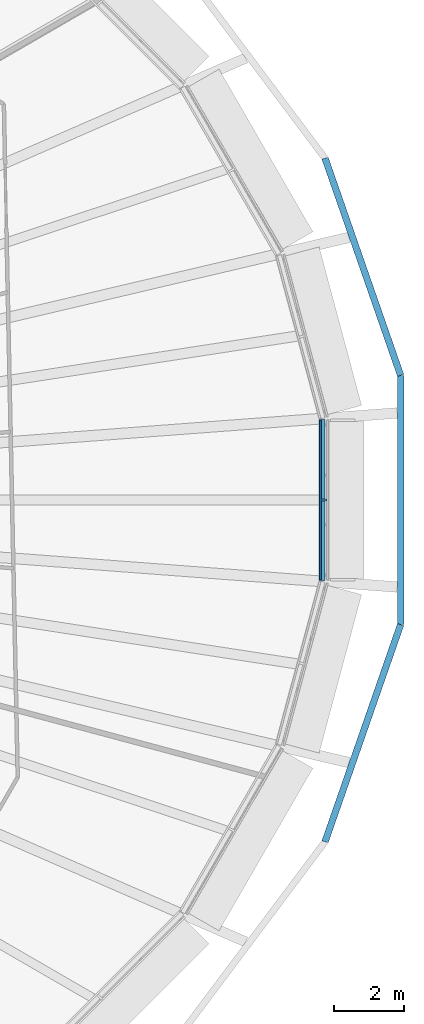
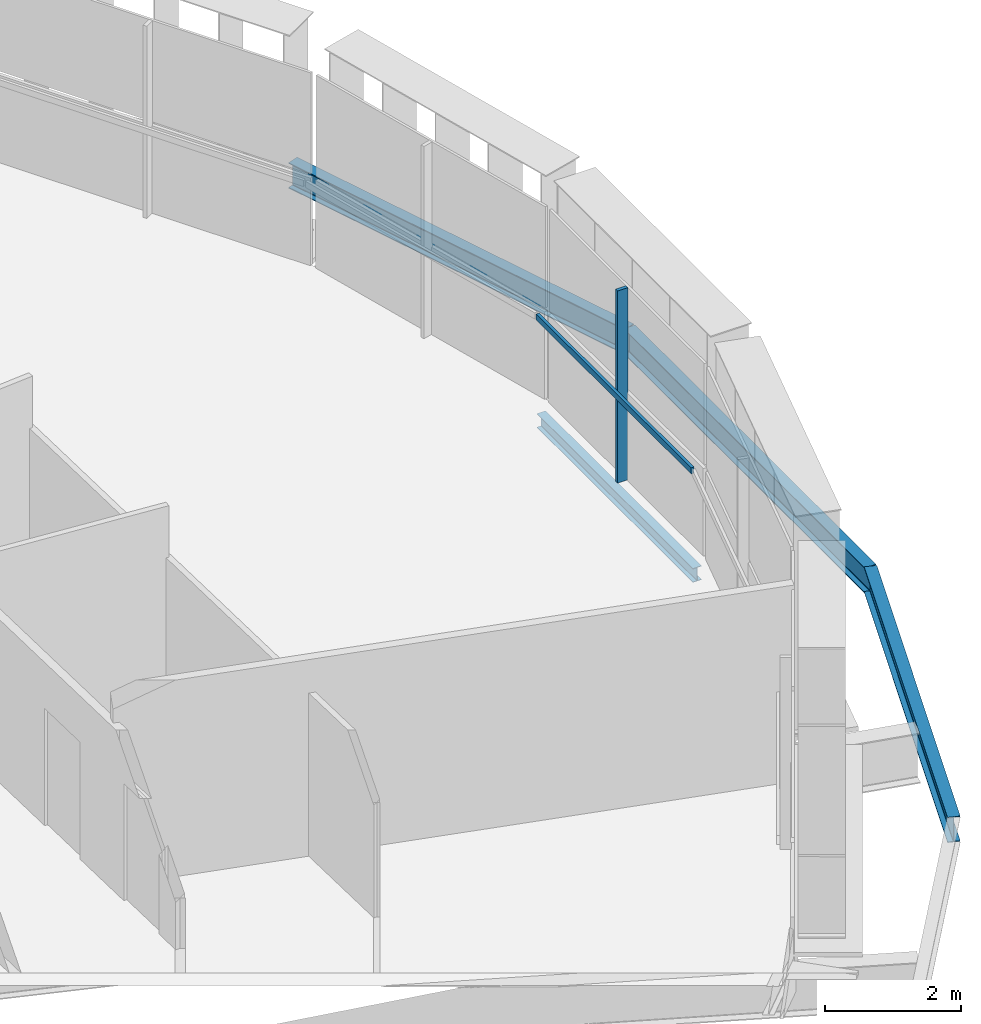
# One storey, part 9 of 23: 4 beams, 2 members, 1 element without a shape of its own.
"""IFC4 building model written with IfcOpenShell, lengths in metres."""

from ifc_helpers import new_model, si_unit, direction, frame, origin, origin_2d, place, context, subcontext, project, spatial, rectangle, i_section, extrude, material, layer, layer_set, material_profile, profile_set, type_object, element, aggregate, save


model = new_model("IFC4")

# Units and contexts
model_context = context("Model", 3, precision=1e-05, world=origin(), true_north=direction((0.0, 1.0)))
body_context = subcontext(model_context, "Body", "Model", "MODEL_VIEW")
ifc_project = project(units=[si_unit("LENGTHUNIT", "METRE"), si_unit("AREAUNIT", "SQUARE_METRE"), si_unit("VOLUMEUNIT", "CUBIC_METRE"), si_unit("PLANEANGLEUNIT", "RADIAN"), si_unit("MASSUNIT", "GRAM", prefix="KILO")], contexts=[model_context])

# Site, building, storey
site_placement = place(None, origin())
site = spatial("IfcSite", under=ifc_project, at=site_placement, CompositionType="ELEMENT")
building_placement = place(site_placement, origin())
building = spatial("IfcBuilding", under=site, at=building_placement, Name="Sahrelin Media Tower", CompositionType="ELEMENT")
storey_placement = place(building_placement, frame((0.0, 0.0, 173.60009765625)))
storey = spatial("IfcBuildingStorey", under=building, at=storey_placement, Name="L36", CompositionType="ELEMENT", Elevation=173.60009765625)

# Beam
ifc_material_1 = material(Name="Steel S355", Category="steel")
ifc_material_profile_1 = material_profile(ifc_material_1, i_section(OverallWidth=0.14599609375, OverallDepth=0.25146484375, WebThickness=0.006103515625, FlangeThickness=0.008544921875, FilletRadius=0.007568359375, at=origin_2d()), Name="UB 254x146x31")
ifc_profile_set_1 = profile_set([ifc_material_profile_1], Name="Steel S355")
beam_type_1 = type_object("IfcBeamType", Name="Edge beam EB1", PredefinedType="BEAM", material=ifc_profile_set_1)
beam_1_placement = place(storey_placement, frame((30.998779296875, 2.292724609375, -0.27587890625), z_axis=(0.0, -1.0, 0.0), x_axis=(1.0, 0.0, 0.0)))
element("IfcBeam", 1, at=beam_1_placement, inside=storey, type_object=beam_type_1, Name="Edge beam L36-01", PredefinedType="BEAM", context=body_context, shape_type="SweptSolid", body=[
    extrude(i_section(OverallWidth=0.14599609375, OverallDepth=0.25146484375, WebThickness=0.006103515625, FlangeThickness=0.008544921875, FilletRadius=0.007568359375, at=origin_2d()), origin(), (0.0, 0.0, 1.0), 4.58544921875),
])

# Curtain wall, member
ifc_material_2 = material(Name="Champagne anodised aluminium 6063-T6", Category="aluminium")
ifc_layer = layer(ifc_material_2, 0.14990234375)
ifc_layer_set = layer_set([ifc_layer], Name="Tower ribbon curtain wall")
curtain_wall_type = type_object("IfcCurtainWallType", Name="Tower ribbon curtain wall", PredefinedType="NOTDEFINED", material=ifc_layer_set)
curtain_wall_placement = place(storey_placement, frame((31.14892578125, 0.0, 0.0), z_axis=(0.0, 0.0, 1.0), x_axis=(1.0, 0.0, 0.0)))
curtain_wall = element("IfcCurtainWall", 2, at=curtain_wall_placement, inside=storey, type_object=curtain_wall_type, Name="L36:CW:L36-00", PredefinedType="NOTDEFINED")
ifc_material_profile_2 = material_profile(ifc_material_2, rectangle(XDim=0.06005859375, YDim=0.175048828125, at=origin_2d()), Name="Mullion 60x175")
ifc_profile_set_2 = profile_set([ifc_material_profile_2], Name="Champagne anodised aluminium 6063-T6")
member_type_1 = type_object("IfcMemberType", Name="Mullion 60x175 CW1B", PredefinedType="MULLION", material=ifc_profile_set_2)
member_1_placement = place(storey_placement, frame((31.04150390625, 0.0, 0.0), z_axis=(0.0, 0.0, 1.0), x_axis=(0.0, 1.0, 0.0)))
member_1 = element("IfcMember", 3, at=member_1_placement, type_object=member_type_1, Name="L36:CWM:L36-00", PredefinedType="MULLION", context=body_context, shape_type="SweptSolid", body=[
    extrude(rectangle(XDim=0.06005859375, YDim=0.175048828125, at=origin_2d()), origin(), (0.0, 0.0, 1.0), 3.448486328125),
])

# Beams
ifc_material_profile_3 = material_profile(ifc_material_1, i_section(OverallWidth=0.1904296875, OverallDepth=0.45703125, WebThickness=0.009033203125, FlangeThickness=0.014404296875, FilletRadius=0.01025390625, at=origin_2d()), Name="UB 457x191x74")
ifc_profile_set_3 = profile_set([ifc_material_profile_3], Name="Steel S355")
beam_type_2 = type_object("IfcBeamType", Name="Tie chord TC5", PredefinedType="BEAM", material=ifc_profile_set_3)
for number, where, z_axis, x_axis, name in (
    (4, (33.21728515625, 3.541748046875, -0.378662109375), (-0.328791447129, 0.944402554155, 0.0), (-0.944402554155, -0.328791447129, 0.0), "Tie chord L36-01"),
    (5, (31.067626953125, -9.71630859375, -0.378662109375), (0.328791447129, 0.944402554155, 0.0), (-0.944402554155, 0.328791447129, 0.0), "Tie chord L36-23"),
):
    element("IfcBeam", number, at=place(storey_placement, frame(where, z_axis=z_axis, x_axis=x_axis)), inside=storey, type_object=beam_type_2, Name=name, PredefinedType="BEAM", context=body_context, shape_type="SweptSolid", body=[
        extrude(i_section(OverallWidth=0.1904296875, OverallDepth=0.45703125, WebThickness=0.009033203125, FlangeThickness=0.014404296875, FilletRadius=0.01025390625, at=origin_2d()), origin(), (0.0, 0.0, 1.0), 6.5380859375),
    ])
beam_2_placement = place(storey_placement, frame((33.21728515625, -3.541748046875, -0.378662109375), z_axis=(0.0, 1.0, 0.0), x_axis=(-1.0, 0.0, 0.0)))
element("IfcBeam", 6, at=beam_2_placement, inside=storey, type_object=beam_type_2, Name="Tie chord L36-24", PredefinedType="BEAM", context=body_context, shape_type="SweptSolid", body=[
    extrude(i_section(OverallWidth=0.1904296875, OverallDepth=0.45703125, WebThickness=0.009033203125, FlangeThickness=0.014404296875, FilletRadius=0.01025390625, at=origin_2d()), origin(), (0.0, 0.0, 1.0), 7.08349609375),
])

# Member
ifc_material_profile_4 = material_profile(ifc_material_2, rectangle(XDim=0.050048828125, YDim=0.110107421875, at=origin_2d()), Name="Transom 50x110")
ifc_profile_set_4 = profile_set([ifc_material_profile_4], Name="Champagne anodised aluminium 6063-T6")
member_type_2 = type_object("IfcMemberType", Name="Transom 50x110 CW1B", PredefinedType="USERDEFINED", material=ifc_profile_set_4)
member_2_placement = place(storey_placement, frame((30.928955078125, -2.277099609375, 1.599853515625), z_axis=(0.0, 1.0, 0.0), x_axis=(-1.0, 0.0, 0.0)))
member_2 = element("IfcMember", 7, at=member_2_placement, type_object=member_type_2, Name="L36:CWT:L36-00", ObjectType="TRANSOM", PredefinedType="USERDEFINED", context=body_context, shape_type="SweptSolid", body=[
    extrude(rectangle(XDim=0.050048828125, YDim=0.110107421875, at=origin_2d()), origin(), (0.0, 0.0, 1.0), 4.55419921875),
])

aggregate(curtain_wall, [member_1, member_2])

save(model, "model.ifc")
